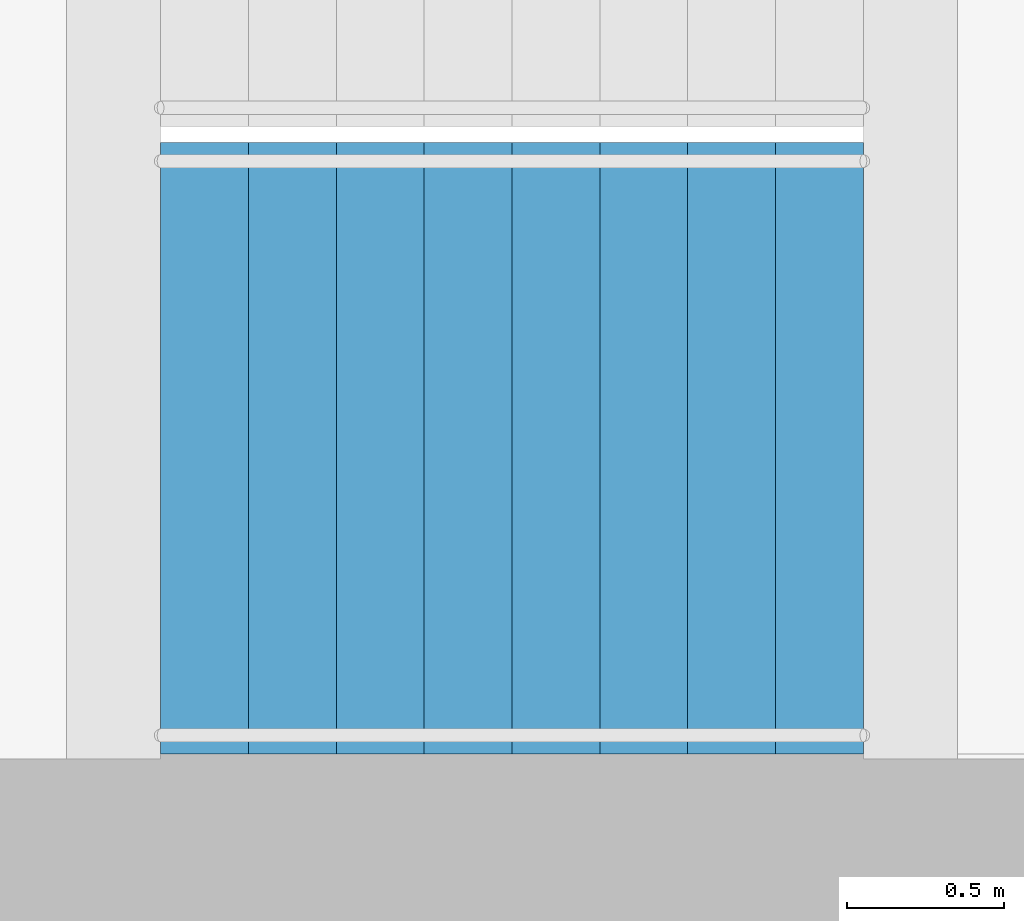
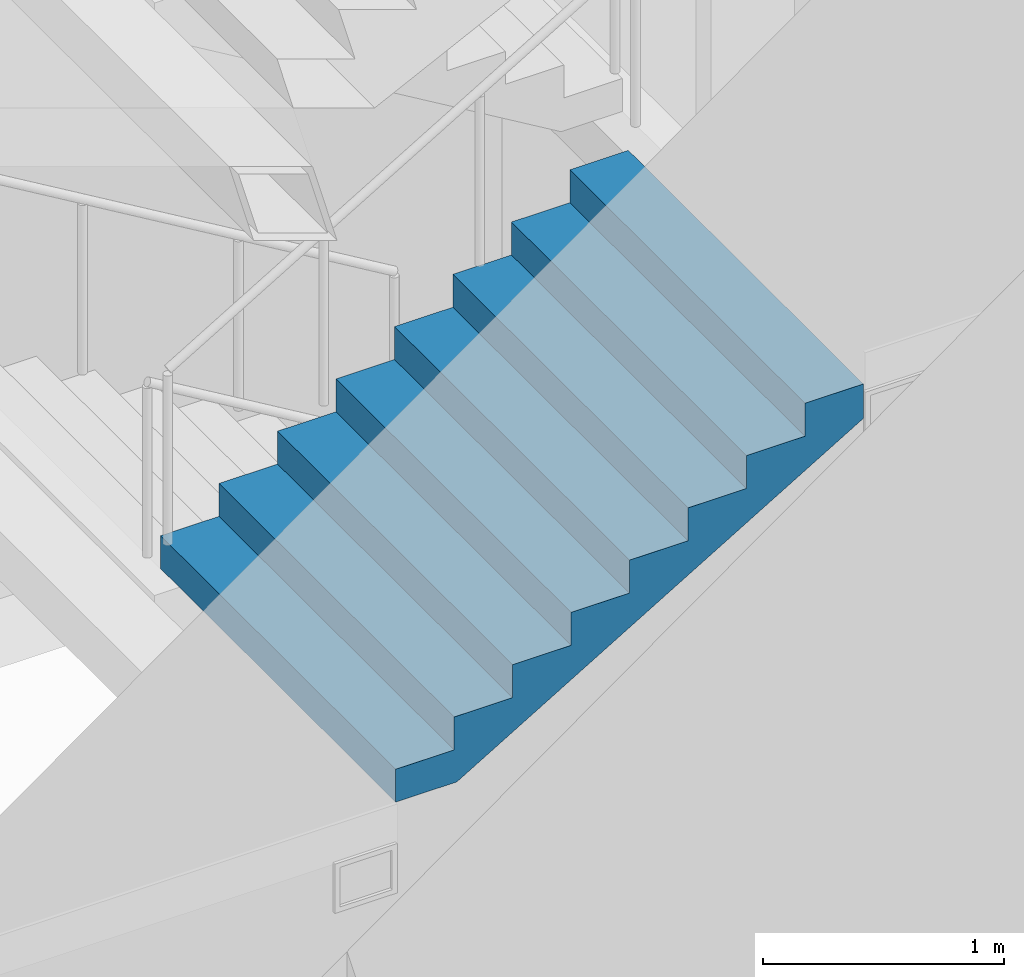
# One storey, part 25 of 57: 1 stair flight, 1 element without a shape of its own.
"""IFC4 building model written with IfcOpenShell, lengths in metres."""

import ifcopenshell
import ifcopenshell.guid

model = None  # the IFC model being written
_history = None  # IfcOwnerHistory: only IFC2X3 demands one
_inside = {}  # id of a spatial element -> (the spatial element, [elements in it])
_under = {}  # id of a project, library or spatial element -> (it, [spatial elements below it])
_declared = {}  # id of a project -> (the project, [libraries it declares])
_typed = {}  # id of a type object -> (the type object, [elements of that type])
_made_of = {}  # id of a material, layer set ... -> (it, [elements and type objects made of it])


def new_model(schema):
    """Start an empty IFC model of exactly this schema.

    Asked for "IFC4X3", IfcOpenShell would pick the latest addendum, in which some entities
    have other attributes; the version numbers below select the first issue.
    IFC2X3 requires an IfcOwnerHistory on every rooted entity: one is made here for all.
    """
    global model, _history
    if schema == "IFC4X3":
        model = ifcopenshell.file(schema_version=(4, 3, 0, 0))
    else:
        model = ifcopenshell.file(schema=schema)
    _inside.clear()
    _under.clear()
    _declared.clear()
    _typed.clear()
    _made_of.clear()
    _history = None
    if model.schema == "IFC2X3":
        org = make("IfcOrganization", Name="unknown")
        user = make(
            "IfcPersonAndOrganization",
            ThePerson=make("IfcPerson", FamilyName="unknown"),
            TheOrganization=org,
        )
        app = make(
            "IfcApplication",
            ApplicationDeveloper=org,
            Version="unknown",
            ApplicationFullName="unknown",
            ApplicationIdentifier="unknown",
        )
        _history = make(
            "IfcOwnerHistory",
            OwningUser=user,
            OwningApplication=app,
            ChangeAction="ADDED",
            CreationDate=0,
        )
    return model


def make(cls, **values):
    """One entity of the class cls with the attributes given. An attribute that is None is left unset."""
    return model.create_entity(
        cls, **{name: value for name, value in values.items() if value is not None}
    )


def rooted(cls, **values):
    """An entity with a GlobalId (a new one), such as an element, a storey or a relation."""
    return make(cls, GlobalId=ifcopenshell.guid.new(), OwnerHistory=_history, **values)


def si_unit(unit_type, name, prefix=None):
    """IfcSIUnit, for example si_unit("LENGTHUNIT", "METRE", prefix="MILLI")."""
    return make("IfcSIUnit", UnitType=unit_type, Prefix=prefix, Name=name)


def assignment(units):
    """IfcUnitAssignment: the units of a project."""
    return None if units is None else make("IfcUnitAssignment", Units=units)


def point(xyz):
    """IfcCartesianPoint."""
    return None if xyz is None else make("IfcCartesianPoint", Coordinates=xyz)


def direction(xyz):
    """IfcDirection."""
    return None if xyz is None else make("IfcDirection", DirectionRatios=xyz)


def frame(location, z_axis=None, x_axis=None):
    """IfcAxis2Placement3D, a coordinate frame: its origin and axes. An axis left out is left unset."""
    return make(
        "IfcAxis2Placement3D",
        Location=point(location),
        Axis=direction(z_axis),
        RefDirection=direction(x_axis),
    )


def origin():
    """The frame at (0, 0, 0) with its axes left unset."""
    return frame((0.0, 0.0, 0.0))


def place(relative_to, where):
    """IfcLocalPlacement: puts the frame where relative to a parent placement (None: the world)."""
    return make(
        "IfcLocalPlacement", PlacementRelTo=relative_to, RelativePlacement=where
    )


def context(
    kind, dimensions, precision=None, world=None, true_north=None, identifier=None
):
    """IfcGeometricRepresentationContext, for example the 3D "Model" context."""
    return make(
        "IfcGeometricRepresentationContext",
        ContextIdentifier=identifier,
        ContextType=kind,
        CoordinateSpaceDimension=dimensions,
        Precision=precision,
        WorldCoordinateSystem=world,
        TrueNorth=true_north,
    )


def subcontext(parent, identifier, kind, view, scale=None):
    """IfcGeometricRepresentationSubContext, for example "Body" below "Model"."""
    return make(
        "IfcGeometricRepresentationSubContext",
        ContextIdentifier=identifier,
        ContextType=kind,
        ParentContext=parent,
        TargetScale=scale,
        TargetView=view,
    )


def project(units=None, contexts=None):
    """IfcProject with its units and contexts."""
    return rooted(
        "IfcProject",
        Name="project",
        RepresentationContexts=contexts,
        UnitsInContext=assignment(units),
    )


def spatial(cls, under=None, at=None, **own):
    """A site, building, storey or space (cls), placed at a placement, below another one or the project."""
    s = rooted(cls, ObjectPlacement=at, **own)
    if under is not None:
        _under.setdefault(under.id(), (under, []))[1].append(s)
    return s


def point_list(points):
    """IfcCartesianPointList2D or 3D."""
    cls = (
        "IfcCartesianPointList2D" if len(points[0]) == 2 else "IfcCartesianPointList3D"
    )
    return make(cls, CoordList=points)


def triangles(points, corners, closed=None, point_numbers=None):
    """IfcTriangulatedFaceSet: each triangle names its three corners, points numbered from 1."""
    return make(
        "IfcTriangulatedFaceSet",
        Coordinates=point_list(points),
        Closed=closed,
        CoordIndex=corners,
        PnIndex=point_numbers,
    )


def shape(context_of_items, identifier, shape_type, items):
    """IfcShapeRepresentation: the items that make up one representation, for example the "Body"."""
    return make(
        "IfcShapeRepresentation",
        ContextOfItems=context_of_items,
        RepresentationIdentifier=identifier,
        RepresentationType=shape_type,
        Items=items,
    )


def material(Name=None, Category=None):
    """IfcMaterial."""
    return make("IfcMaterial", Name=Name, Category=Category)


def made_of(thing, what):
    """Note that an element or type object is made of a material, layer set ...; save() writes the relation."""
    if what is not None:
        _made_of.setdefault(what.id(), (what, []))[1].append(thing)
    return thing


def type_object(cls, material=None, **own):
    """A type object (cls), such as IfcWallType, which elements share."""
    return made_of(rooted(cls, **own), material)


def element(
    cls,
    number,
    at=None,
    inside=None,
    cuts=None,
    type_object=None,
    material=None,
    context=None,
    identifier="Body",
    shape_type=None,
    held_by="IfcProductDefinitionShape",
    body=None,
    shapes=None,
    **own,
):
    """One element of the class cls, such as IfcWall. Its Tag is "e" and its number.

    at: its placement. inside: the storey or other place that contains it. cuts: it is an
    opening in that element (IfcRelVoidsElement). A single representation is given by context,
    identifier, shape_type and body (its items); several are given by shapes. held_by: the class
    of the entity that holds the representations. save() writes the other relations.
    """
    e = rooted(cls, Tag="e%d" % number, ObjectPlacement=at, **own)
    if body is not None:
        shapes = [shape(context, identifier, shape_type, body)]
    if shapes is not None:
        e.Representation = make(held_by, Representations=shapes)
    if inside is not None:
        _inside.setdefault(inside.id(), (inside, []))[1].append(e)
    if cuts is not None:
        rooted(
            "IfcRelVoidsElement", RelatingBuildingElement=cuts, RelatedOpeningElement=e
        )
    if type_object is not None:
        _typed.setdefault(type_object.id(), (type_object, []))[1].append(e)
    return made_of(e, material)


def aggregate(whole, parts):
    """IfcRelAggregates: a whole, such as a stair, and the parts it consists of."""
    return rooted("IfcRelAggregates", RelatingObject=whole, RelatedObjects=parts)


def save(model, path):
    """Write the relations noted so far, then the file.

    IfcRelAggregates (storeys below a building ...), IfcRelContainedInSpatialStructure (elements
    in a storey), IfcRelDefinesByType, IfcRelAssociatesMaterial and IfcRelDeclares: one each for
    every whole, place, type object, material and project.
    """
    for whole, parts in _under.values():
        aggregate(whole, parts)
    for where, things in _inside.values():
        rooted(
            "IfcRelContainedInSpatialStructure",
            RelatedElements=things,
            RelatingStructure=where,
        )
    for kind, things in _typed.values():
        rooted("IfcRelDefinesByType", RelatedObjects=things, RelatingType=kind)
    for what, things in _made_of.values():
        rooted("IfcRelAssociatesMaterial", RelatedObjects=things, RelatingMaterial=what)
    for by, libraries in _declared.values():
        rooted("IfcRelDeclares", RelatingContext=by, RelatedDefinitions=libraries)
    model.write(path)


model = new_model("IFC4")

# Units and contexts
model_context = context("Model", 3, precision=1e-05, world=origin(), true_north=direction((0.0, 1.0)))
body_context = subcontext(model_context, "Body", "Model", "MODEL_VIEW")
ifc_project = project(units=[si_unit("LENGTHUNIT", "METRE"), si_unit("AREAUNIT", "SQUARE_METRE"), si_unit("VOLUMEUNIT", "CUBIC_METRE"), si_unit("PLANEANGLEUNIT", "RADIAN"), si_unit("MASSUNIT", "GRAM", prefix="KILO")], contexts=[model_context])

# Site, building, storey
site_placement = place(None, origin())
site = spatial("IfcSite", under=ifc_project, at=site_placement, CompositionType="ELEMENT")
building_placement = place(site_placement, origin())
building = spatial("IfcBuilding", under=site, at=building_placement, Name="Orbita Commons", CompositionType="ELEMENT")
storey_placement = place(building_placement, origin())
storey = spatial("IfcBuildingStorey", under=building, at=storey_placement, Name="L00", CompositionType="ELEMENT", Elevation=0.0)

# Stair, stair flight
ifc_material_1 = material(Name="Precast concrete C40/50", Category="concrete")
stair_type = type_object("IfcStairType", Name="Exit stair S2 4 flights 9 risers 167", PredefinedType="HALF_TURN_STAIR", material=ifc_material_1)
stair_placement = place(storey_placement, origin())
stair = element("IfcStair", 1, at=stair_placement, inside=storey, type_object=stair_type, Name="Exit stair S2 L00", PredefinedType="HALF_TURN_STAIR")
ifc_material_2 = material(Name="Precast concrete C40/50", Category="concrete")
stair_flight_type = type_object("IfcStairFlightType", Name="Stair flight 9 risers 167 x 280", PredefinedType="STRAIGHT", material=ifc_material_2)
stair_flight_placement = place(storey_placement, frame((61.31005859375, 27.27490234375, 1.5), z_axis=(0.0, 0.0, 1.0), x_axis=(1.0, 0.0, 0.0)))
stair_flight = element("IfcStairFlight", 2, at=stair_flight_placement, type_object=stair_flight_type, Name="S2 flight 2", NumberOfRisers=9, NumberOfTreads=8, PredefinedType="STRAIGHT", RiserHeight=0.166666667, TreadLength=0.28, context=body_context, shape_type="Tessellation", body=[
    triangles([(0.0, 0.974976, 0.0), (0.0, 0.974976, 0.020833), (0.0, 0.81248, 0.020833), (0.0, 0.81248, 0.0), (0.0, 0.649984, 0.020833), (0.0, 0.649984, 0.0), (0.0, 0.487488, 0.020833), (0.0, 0.487488, 0.0), (0.0, 0.324992, 0.020833), (0.0, 0.324992, 0.0), (0.0, 0.162496, 0.020833), (0.0, 0.162496, 0.0), (0.0, 0.0, 0.020833), (0.0, 0.0, 0.0), (0.0, -0.162496, 0.020833), (0.0, -0.162496, 0.0), (0.0, -0.324992, 0.020833), (0.0, -0.324992, 0.0), (0.0, -0.487488, 0.020833), (0.0, -0.487488, 0.0), (0.0, -0.649984, 0.020833), (0.0, -0.649984, 0.0), (0.0, -0.81248, 0.020833), (0.0, -0.81248, 0.0), (0.0, -0.974976, 0.020833), (0.0, -0.974976, 0.0), (0.0, 0.974976, 0.041667), (0.0, 0.81248, 0.041667), (0.0, 0.649984, 0.041667), (0.0, 0.487488, 0.041667), (0.0, 0.324992, 0.041667), (0.0, 0.162496, 0.041667), (0.0, 0.0, 0.041667), (0.0, -0.162496, 0.041667), (0.0, -0.324992, 0.041667), (0.0, -0.487488, 0.041667), (0.0, -0.649984, 0.041667), (0.0, -0.81248, 0.041667), (0.0, -0.974976, 0.041667), (0.0, 0.974976, 0.0625), (0.0, 0.81248, 0.0625), (0.0, 0.649984, 0.0625), (0.0, 0.487488, 0.0625), (0.0, 0.324992, 0.0625), (0.0, 0.162496, 0.0625), (0.0, 0.0, 0.0625), (0.0, -0.162496, 0.0625), (0.0, -0.324992, 0.0625), (0.0, -0.487488, 0.0625), (0.0, -0.649984, 0.0625), (0.0, -0.81248, 0.0625), (0.0, -0.974976, 0.0625), (0.0, 0.974976, 0.083333), (0.0, 0.81248, 0.083333), (0.0, 0.649984, 0.083333), (0.0, 0.487488, 0.083333), (0.0, 0.324992, 0.083333), (0.0, 0.162496, 0.083333), (0.0, 0.0, 0.083333), (0.0, -0.162496, 0.083333), (0.0, -0.324992, 0.083333), (0.0, -0.487488, 0.083333), (0.0, -0.649984, 0.083333), (0.0, -0.81248, 0.083333), (0.0, -0.974976, 0.083333), (0.0, 0.974976, 0.104167), (0.0, 0.81248, 0.104167), (0.0, 0.649984, 0.104167), (0.0, 0.487488, 0.104167), (0.0, 0.324992, 0.104167), (0.0, 0.162496, 0.104167), (0.0, 0.0, 0.104167), (0.0, -0.162496, 0.104167), (0.0, -0.324992, 0.104167), (0.0, -0.487488, 0.104167), (0.0, -0.649984, 0.104167), (0.0, -0.81248, 0.104167), (0.0, -0.974976, 0.104167), (0.0, 0.974976, 0.125), (0.0, 0.81248, 0.125), (0.0, 0.649984, 0.125), (0.0, 0.487488, 0.125), (0.0, 0.324992, 0.125), (0.0, 0.162496, 0.125), (0.0, 0.0, 0.125), (0.0, -0.162496, 0.125), (0.0, -0.324992, 0.125), (0.0, -0.487488, 0.125), (0.0, -0.649984, 0.125), (0.0, -0.81248, 0.125), (0.0, -0.974976, 0.125), (0.0, 0.974976, 0.145833), (0.0, 0.81248, 0.145833), (0.0, 0.649984, 0.145833), (0.0, 0.487488, 0.145833), (0.0, 0.324992, 0.145833), (0.0, 0.162496, 0.145833), (0.0, 0.0, 0.145833), (0.0, -0.162496, 0.145833), (0.0, -0.324992, 0.145833), (0.0, -0.487488, 0.145833), (0.0, -0.649984, 0.145833), (0.0, -0.81248, 0.145833), (0.0, -0.974976, 0.145833), (0.0, 0.974976, 0.166667), (0.0, 0.81248, 0.166667), (0.0, 0.649984, 0.166667), (0.0, 0.487488, 0.166667), (0.0, 0.324992, 0.166667), (0.0, 0.162496, 0.166667), (0.0, 0.0, 0.166667), (0.0, -0.162496, 0.166667), (0.0, -0.324992, 0.166667), (0.0, -0.487488, 0.166667), (0.0, -0.649984, 0.166667), (0.0, -0.81248, 0.166667), (0.0, -0.974976, 0.166667), (0.28, 0.974976, 0.166667), (0.28, 0.81248, 0.166667), (0.28, 0.649984, 0.166667), (0.28, 0.487488, 0.166667), (0.28, 0.324992, 0.166667), (0.28, 0.162496, 0.166667), (0.28, 0.0, 0.166667), (0.28, -0.162496, 0.166667), (0.28, -0.324992, 0.166667), (0.28, -0.487488, 0.166667), (0.28, -0.649984, 0.166667), (0.28, -0.81248, 0.166667), (0.28, -0.974976, 0.166667), (0.28, 0.974976, 0.333333), (0.28, 0.81248, 0.333333), (0.28, 0.649984, 0.333333), (0.28, 0.487488, 0.333333), (0.28, 0.324992, 0.333333), (0.28, 0.162496, 0.333333), (0.28, 0.0, 0.333333), (0.28, -0.162496, 0.333333), (0.28, -0.324992, 0.333333), (0.28, -0.487488, 0.333333), (0.28, -0.649984, 0.333333), (0.28, -0.81248, 0.333333), (0.28, -0.974976, 0.333333), (0.56, 0.974976, 0.333333), (0.56, 0.81248, 0.333333), (0.56, 0.649984, 0.333333), (0.56, 0.487488, 0.333333), (0.56, 0.324992, 0.333333), (0.56, 0.162496, 0.333333), (0.56, 0.0, 0.333333), (0.56, -0.162496, 0.333333), (0.56, -0.324992, 0.333333), (0.56, -0.487488, 0.333333), (0.56, -0.649984, 0.333333), (0.56, -0.81248, 0.333333), (0.56, -0.974976, 0.333333), (0.56, 0.974976, 0.5), (0.56, 0.81248, 0.5), (0.56, 0.649984, 0.5), (0.56, 0.487488, 0.5), (0.56, 0.324992, 0.5), (0.56, 0.162496, 0.5), (0.56, 0.0, 0.5), (0.56, -0.162496, 0.5), (0.56, -0.324992, 0.5), (0.56, -0.487488, 0.5), (0.56, -0.649984, 0.5), (0.56, -0.81248, 0.5), (0.56, -0.974976, 0.5), (0.84, 0.974976, 0.5), (0.84, 0.81248, 0.5), (0.84, 0.649984, 0.5), (0.84, 0.487488, 0.5), (0.84, 0.324992, 0.5), (0.84, 0.162496, 0.5), (0.84, 0.0, 0.5), (0.84, -0.162496, 0.5), (0.84, -0.324992, 0.5), (0.84, -0.487488, 0.5), (0.84, -0.649984, 0.5), (0.84, -0.81248, 0.5), (0.84, -0.974976, 0.5), (0.84, 0.974976, 0.666667), (0.84, 0.81248, 0.666667), (0.84, 0.649984, 0.666667), (0.84, 0.487488, 0.666667), (0.84, 0.324992, 0.666667), (0.84, 0.162496, 0.666667), (0.84, 0.0, 0.666667), (0.84, -0.162496, 0.666667), (0.84, -0.324992, 0.666667), (0.84, -0.487488, 0.666667), (0.84, -0.649984, 0.666667), (0.84, -0.81248, 0.666667), (0.84, -0.974976, 0.666667), (1.12, 0.974976, 0.666667), (1.12, 0.81248, 0.666667), (1.12, 0.649984, 0.666667), (1.12, 0.487488, 0.666667), (1.12, 0.324992, 0.666667), (1.12, 0.162496, 0.666667), (1.12, 0.0, 0.666667), (1.12, -0.162496, 0.666667), (1.12, -0.324992, 0.666667), (1.12, -0.487488, 0.666667), (1.12, -0.649984, 0.666667), (1.12, -0.81248, 0.666667), (1.12, -0.974976, 0.666667), (1.12, 0.974976, 0.833333), (1.12, 0.81248, 0.833333), (1.12, 0.649984, 0.833333), (1.12, 0.487488, 0.833333), (1.12, 0.324992, 0.833333), (1.12, 0.162496, 0.833333), (1.12, 0.0, 0.833333), (1.12, -0.162496, 0.833333), (1.12, -0.324992, 0.833333), (1.12, -0.487488, 0.833333), (1.12, -0.649984, 0.833333), (1.12, -0.81248, 0.833333), (1.12, -0.974976, 0.833333), (1.4, 0.974976, 0.833333), (1.4, 0.81248, 0.833333), (1.4, 0.649984, 0.833333), (1.4, 0.487488, 0.833333), (1.4, 0.324992, 0.833333), (1.4, 0.162496, 0.833333), (1.4, 0.0, 0.833333), (1.4, -0.162496, 0.833333), (1.4, -0.324992, 0.833333), (1.4, -0.487488, 0.833333), (1.4, -0.649984, 0.833333), (1.4, -0.81248, 0.833333), (1.4, -0.974976, 0.833333), (1.4, 0.974976, 1.0), (1.4, 0.81248, 1.0), (1.4, 0.649984, 1.0), (1.4, 0.487488, 1.0), (1.4, 0.324992, 1.0), (1.4, 0.162496, 1.0), (1.4, 0.0, 1.0), (1.4, -0.162496, 1.0), (1.4, -0.324992, 1.0), (1.4, -0.487488, 1.0), (1.4, -0.649984, 1.0), (1.4, -0.81248, 1.0), (1.4, -0.974976, 1.0), (1.68, 0.974976, 1.0), (1.68, 0.81248, 1.0), (1.68, 0.649984, 1.0), (1.68, 0.487488, 1.0), (1.68, 0.324992, 1.0), (1.68, 0.162496, 1.0), (1.68, 0.0, 1.0), (1.68, -0.162496, 1.0), (1.68, -0.324992, 1.0), (1.68, -0.487488, 1.0), (1.68, -0.649984, 1.0), (1.68, -0.81248, 1.0), (1.68, -0.974976, 1.0), (1.68, 0.974976, 1.166667), (1.68, 0.81248, 1.166667), (1.68, 0.649984, 1.166667), (1.68, 0.487488, 1.166667), (1.68, 0.324992, 1.166667), (1.68, 0.162496, 1.166667), (1.68, 0.0, 1.166667), (1.68, -0.162496, 1.166667), (1.68, -0.324992, 1.166667), (1.68, -0.487488, 1.166667), (1.68, -0.649984, 1.166667), (1.68, -0.81248, 1.166667), (1.68, -0.974976, 1.166667), (1.96, 0.974976, 1.166667), (1.96, 0.81248, 1.166667), (1.96, 0.649984, 1.166667), (1.96, 0.487488, 1.166667), (1.96, 0.324992, 1.166667), (1.96, 0.162496, 1.166667), (1.96, 0.0, 1.166667), (1.96, -0.162496, 1.166667), (1.96, -0.324992, 1.166667), (1.96, -0.487488, 1.166667), (1.96, -0.649984, 1.166667), (1.96, -0.81248, 1.166667), (1.96, -0.974976, 1.166667), (1.96, 0.974976, 1.333333), (1.96, 0.81248, 1.333333), (1.96, 0.649984, 1.333333), (1.96, 0.487488, 1.333333), (1.96, 0.324992, 1.333333), (1.96, 0.162496, 1.333333), (1.96, 0.0, 1.333333), (1.96, -0.162496, 1.333333), (1.96, -0.324992, 1.333333), (1.96, -0.487488, 1.333333), (1.96, -0.649984, 1.333333), (1.96, -0.81248, 1.333333), (1.96, -0.974976, 1.333333), (2.24, 0.974976, 1.333333), (2.24, 0.81248, 1.333333), (2.24, 0.649984, 1.333333), (2.24, 0.487488, 1.333333), (2.24, 0.324992, 1.333333), (2.24, 0.162496, 1.333333), (2.24, 0.0, 1.333333), (2.24, -0.162496, 1.333333), (2.24, -0.324992, 1.333333), (2.24, -0.487488, 1.333333), (2.24, -0.649984, 1.333333), (2.24, -0.81248, 1.333333), (2.24, -0.974976, 1.333333), (2.24, 0.974976, 1.311527), (2.24, 0.81248, 1.311527), (2.24, 0.649984, 1.311527), (2.24, 0.487488, 1.311527), (2.24, 0.324992, 1.311527), (2.24, 0.162496, 1.311527), (2.24, 0.0, 1.311527), (2.24, -0.162496, 1.311527), (2.24, -0.324992, 1.311527), (2.24, -0.487488, 1.311527), (2.24, -0.649984, 1.311527), (2.24, -0.81248, 1.311527), (2.24, -0.974976, 1.311527), (2.24, 0.974976, 1.289721), (2.24, 0.81248, 1.289721), (2.24, 0.649984, 1.289721), (2.24, 0.487488, 1.289721), (2.24, 0.324992, 1.289721), (2.24, 0.162496, 1.289721), (2.24, 0.0, 1.289721), (2.24, -0.162496, 1.289721), (2.24, -0.324992, 1.289721), (2.24, -0.487488, 1.289721), (2.24, -0.649984, 1.289721), (2.24, -0.81248, 1.289721), (2.24, -0.974976, 1.289721), (2.24, 0.974976, 1.267915), (2.24, 0.81248, 1.267915), (2.24, 0.649984, 1.267915), (2.24, 0.487488, 1.267915), (2.24, 0.324992, 1.267915), (2.24, 0.162496, 1.267915), (2.24, 0.0, 1.267915), (2.24, -0.162496, 1.267915), (2.24, -0.324992, 1.267915), (2.24, -0.487488, 1.267915), (2.24, -0.649984, 1.267915), (2.24, -0.81248, 1.267915), (2.24, -0.974976, 1.267915), (2.24, 0.974976, 1.246109), (2.24, 0.81248, 1.246109), (2.24, 0.649984, 1.246109), (2.24, 0.487488, 1.246109), (2.24, 0.324992, 1.246109), (2.24, 0.162496, 1.246109), (2.24, 0.0, 1.246109), (2.24, -0.162496, 1.246109), (2.24, -0.324992, 1.246109), (2.24, -0.487488, 1.246109), (2.24, -0.649984, 1.246109), (2.24, -0.81248, 1.246109), (2.24, -0.974976, 1.246109), (2.24, 0.974976, 1.224303), (2.24, 0.81248, 1.224303), (2.24, 0.649984, 1.224303), (2.24, 0.487488, 1.224303), (2.24, 0.324992, 1.224303), (2.24, 0.162496, 1.224303), (2.24, 0.0, 1.224303), (2.24, -0.162496, 1.224303), (2.24, -0.324992, 1.224303), (2.24, -0.487488, 1.224303), (2.24, -0.649984, 1.224303), (2.24, -0.81248, 1.224303), (2.24, -0.974976, 1.224303), (2.24, 0.974976, 1.202497), (2.24, 0.81248, 1.202497), (2.24, 0.649984, 1.202497), (2.24, 0.487488, 1.202497), (2.24, 0.324992, 1.202497), (2.24, 0.162496, 1.202497), (2.24, 0.0, 1.202497), (2.24, -0.162496, 1.202497), (2.24, -0.324992, 1.202497), (2.24, -0.487488, 1.202497), (2.24, -0.649984, 1.202497), (2.24, -0.81248, 1.202497), (2.24, -0.974976, 1.202497), (2.24, 0.974976, 1.180691), (2.24, 0.81248, 1.180691), (2.24, 0.649984, 1.180691), (2.24, 0.487488, 1.180691), (2.24, 0.324992, 1.180691), (2.24, 0.162496, 1.180691), (2.24, 0.0, 1.180691), (2.24, -0.162496, 1.180691), (2.24, -0.324992, 1.180691), (2.24, -0.487488, 1.180691), (2.24, -0.649984, 1.180691), (2.24, -0.81248, 1.180691), (2.24, -0.974976, 1.180691), (2.24, 0.974976, 1.158885), (2.24, 0.81248, 1.158885), (2.24, 0.649984, 1.158885), (2.24, 0.487488, 1.158885), (2.24, 0.324992, 1.158885), (2.24, 0.162496, 1.158885), (2.24, 0.0, 1.158885), (2.24, -0.162496, 1.158885), (2.24, -0.324992, 1.158885), (2.24, -0.487488, 1.158885), (2.24, -0.649984, 1.158885), (2.24, -0.81248, 1.158885), (2.24, -0.974976, 1.158885), (0.293073, 0.974976, 0.0), (0.293073, 0.81248, 0.0), (0.293073, 0.649984, 0.0), (0.293073, 0.487488, 0.0), (0.293073, 0.324992, 0.0), (0.293073, 0.162496, 0.0), (0.293073, 0.0, 0.0), (0.293073, -0.162496, 0.0), (0.293073, -0.324992, 0.0), (0.293073, -0.487488, 0.0), (0.293073, -0.649984, 0.0), (0.293073, -0.81248, 0.0), (0.293073, -0.974976, 0.0)], [[3, 2, 1], [4, 3, 1], [5, 3, 4], [6, 5, 4], [7, 5, 6], [8, 7, 6], [9, 7, 8], [10, 9, 8], [11, 9, 10], [12, 11, 10], [13, 11, 12], [14, 13, 12], [15, 13, 14], [16, 15, 14], [17, 15, 16], [18, 17, 16], [19, 17, 18], [20, 19, 18], [21, 19, 20], [22, 21, 20], [23, 21, 22], [24, 23, 22], [25, 23, 24], [26, 25, 24], [28, 27, 2], [3, 28, 2], [29, 28, 3], [5, 29, 3], [30, 29, 5], [7, 30, 5], [31, 30, 7], [9, 31, 7], [32, 31, 9], [11, 32, 9], [33, 32, 11], [13, 33, 11], [34, 33, 13], [15, 34, 13], [35, 34, 15], [17, 35, 15], [36, 35, 17], [19, 36, 17], [37, 36, 19], [21, 37, 19], [38, 37, 21], [23, 38, 21], [39, 38, 23], [25, 39, 23], [41, 40, 27], [28, 41, 27], [42, 41, 28], [29, 42, 28], [43, 42, 29], [30, 43, 29], [44, 43, 30], [31, 44, 30], [45, 44, 31], [32, 45, 31], [46, 45, 32], [33, 46, 32], [47, 46, 33], [34, 47, 33], [48, 47, 34], [35, 48, 34], [49, 48, 35], [36, 49, 35], [50, 49, 36], [37, 50, 36], [51, 50, 37], [38, 51, 37], [52, 51, 38], [39, 52, 38], [54, 53, 40], [41, 54, 40], [55, 54, 41], [42, 55, 41], [56, 55, 42], [43, 56, 42], [57, 56, 43], [44, 57, 43], [58, 57, 44], [45, 58, 44], [59, 58, 45], [46, 59, 45], [60, 59, 46], [47, 60, 46], [61, 60, 47], [48, 61, 47], [62, 61, 48], [49, 62, 48], [63, 62, 49], [50, 63, 49], [64, 63, 50], [51, 64, 50], [65, 64, 51], [52, 65, 51], [67, 66, 53], [54, 67, 53], [68, 67, 54], [55, 68, 54], [69, 68, 55], [56, 69, 55], [70, 69, 56], [57, 70, 56], [71, 70, 57], [58, 71, 57], [72, 71, 58], [59, 72, 58], [73, 72, 59], [60, 73, 59], [74, 73, 60], [61, 74, 60], [75, 74, 61], [62, 75, 61], [76, 75, 62], [63, 76, 62], [77, 76, 63], [64, 77, 63], [78, 77, 64], [65, 78, 64], [80, 79, 66], [67, 80, 66], [81, 80, 67], [68, 81, 67], [82, 81, 68], [69, 82, 68], [83, 82, 69], [70, 83, 69], [84, 83, 70], [71, 84, 70], [85, 84, 71], [72, 85, 71], [86, 85, 72], [73, 86, 72], [87, 86, 73], [74, 87, 73], [88, 87, 74], [75, 88, 74], [89, 88, 75], [76, 89, 75], [90, 89, 76], [77, 90, 76], [91, 90, 77], [78, 91, 77], [93, 92, 79], [80, 93, 79], [94, 93, 80], [81, 94, 80], [95, 94, 81], [82, 95, 81], [96, 95, 82], [83, 96, 82], [97, 96, 83], [84, 97, 83], [98, 97, 84], [85, 98, 84], [99, 98, 85], [86, 99, 85], [100, 99, 86], [87, 100, 86], [101, 100, 87], [88, 101, 87], [102, 101, 88], [89, 102, 88], [103, 102, 89], [90, 103, 89], [104, 103, 90], [91, 104, 90], [106, 105, 92], [93, 106, 92], [107, 106, 93], [94, 107, 93], [108, 107, 94], [95, 108, 94], [109, 108, 95], [96, 109, 95], [110, 109, 96], [97, 110, 96], [111, 110, 97], [98, 111, 97], [112, 111, 98], [99, 112, 98], [113, 112, 99], [100, 113, 99], [114, 113, 100], [101, 114, 100], [115, 114, 101], [102, 115, 101], [116, 115, 102], [103, 116, 102], [117, 116, 103], [104, 117, 103], [119, 118, 105], [106, 119, 105], [120, 119, 106], [107, 120, 106], [121, 120, 107], [108, 121, 107], [122, 121, 108], [109, 122, 108], [123, 122, 109], [110, 123, 109], [124, 123, 110], [111, 124, 110], [125, 124, 111], [112, 125, 111], [126, 125, 112], [113, 126, 112], [127, 126, 113], [114, 127, 113], [128, 127, 114], [115, 128, 114], [129, 128, 115], [116, 129, 115], [130, 129, 116], [117, 130, 116], [132, 131, 118], [119, 132, 118], [133, 132, 119], [120, 133, 119], [134, 133, 120], [121, 134, 120], [135, 134, 121], [122, 135, 121], [136, 135, 122], [123, 136, 122], [137, 136, 123], [124, 137, 123], [138, 137, 124], [125, 138, 124], [139, 138, 125], [126, 139, 125], [140, 139, 126], [127, 140, 126], [141, 140, 127], [128, 141, 127], [142, 141, 128], [129, 142, 128], [143, 142, 129], [130, 143, 129], [145, 144, 131], [132, 145, 131], [146, 145, 132], [133, 146, 132], [147, 146, 133], [134, 147, 133], [148, 147, 134], [135, 148, 134], [149, 148, 135], [136, 149, 135], [150, 149, 136], [137, 150, 136], [151, 150, 137], [138, 151, 137], [152, 151, 138], [139, 152, 138], [153, 152, 139], [140, 153, 139], [154, 153, 140], [141, 154, 140], [155, 154, 141], [142, 155, 141], [156, 155, 142], [143, 156, 142], [158, 157, 144], [145, 158, 144], [159, 158, 145], [146, 159, 145], [160, 159, 146], [147, 160, 146], [161, 160, 147], [148, 161, 147], [162, 161, 148], [149, 162, 148], [163, 162, 149], [150, 163, 149], [164, 163, 150], [151, 164, 150], [165, 164, 151], [152, 165, 151], [166, 165, 152], [153, 166, 152], [167, 166, 153], [154, 167, 153], [168, 167, 154], [155, 168, 154], [169, 168, 155], [156, 169, 155], [171, 170, 157], [158, 171, 157], [172, 171, 158], [159, 172, 158], [173, 172, 159], [160, 173, 159], [174, 173, 160], [161, 174, 160], [175, 174, 161], [162, 175, 161], [176, 175, 162], [163, 176, 162], [177, 176, 163], [164, 177, 163], [178, 177, 164], [165, 178, 164], [179, 178, 165], [166, 179, 165], [180, 179, 166], [167, 180, 166], [181, 180, 167], [168, 181, 167], [182, 181, 168], [169, 182, 168], [184, 183, 170], [171, 184, 170], [185, 184, 171], [172, 185, 171], [186, 185, 172], [173, 186, 172], [187, 186, 173], [174, 187, 173], [188, 187, 174], [175, 188, 174], [189, 188, 175], [176, 189, 175], [190, 189, 176], [177, 190, 176], [191, 190, 177], [178, 191, 177], [192, 191, 178], [179, 192, 178], [193, 192, 179], [180, 193, 179], [194, 193, 180], [181, 194, 180], [195, 194, 181], [182, 195, 181], [197, 196, 183], [184, 197, 183], [198, 197, 184], [185, 198, 184], [199, 198, 185], [186, 199, 185], [200, 199, 186], [187, 200, 186], [201, 200, 187], [188, 201, 187], [202, 201, 188], [189, 202, 188], [203, 202, 189], [190, 203, 189], [204, 203, 190], [191, 204, 190], [205, 204, 191], [192, 205, 191], [206, 205, 192], [193, 206, 192], [207, 206, 193], [194, 207, 193], [208, 207, 194], [195, 208, 194], [210, 209, 196], [197, 210, 196], [211, 210, 197], [198, 211, 197], [212, 211, 198], [199, 212, 198], [213, 212, 199], [200, 213, 199], [214, 213, 200], [201, 214, 200], [215, 214, 201], [202, 215, 201], [216, 215, 202], [203, 216, 202], [217, 216, 203], [204, 217, 203], [218, 217, 204], [205, 218, 204], [219, 218, 205], [206, 219, 205], [220, 219, 206], [207, 220, 206], [221, 220, 207], [208, 221, 207], [223, 222, 209], [210, 223, 209], [224, 223, 210], [211, 224, 210], [225, 224, 211], [212, 225, 211], [226, 225, 212], [213, 226, 212], [227, 226, 213], [214, 227, 213], [228, 227, 214], [215, 228, 214], [229, 228, 215], [216, 229, 215], [230, 229, 216], [217, 230, 216], [231, 230, 217], [218, 231, 217], [232, 231, 218], [219, 232, 218], [233, 232, 219], [220, 233, 219], [234, 233, 220], [221, 234, 220], [236, 235, 222], [223, 236, 222], [237, 236, 223], [224, 237, 223], [238, 237, 224], [225, 238, 224], [239, 238, 225], [226, 239, 225], [240, 239, 226], [227, 240, 226], [241, 240, 227], [228, 241, 227], [242, 241, 228], [229, 242, 228], [243, 242, 229], [230, 243, 229], [244, 243, 230], [231, 244, 230], [245, 244, 231], [232, 245, 231], [246, 245, 232], [233, 246, 232], [247, 246, 233], [234, 247, 233], [249, 248, 235], [236, 249, 235], [250, 249, 236], [237, 250, 236], [251, 250, 237], [238, 251, 237], [252, 251, 238], [239, 252, 238], [253, 252, 239], [240, 253, 239], [254, 253, 240], [241, 254, 240], [255, 254, 241], [242, 255, 241], [256, 255, 242], [243, 256, 242], [257, 256, 243], [244, 257, 243], [258, 257, 244], [245, 258, 244], [259, 258, 245], [246, 259, 245], [260, 259, 246], [247, 260, 246], [262, 261, 248], [249, 262, 248], [263, 262, 249], [250, 263, 249], [264, 263, 250], [251, 264, 250], [265, 264, 251], [252, 265, 251], [266, 265, 252], [253, 266, 252], [267, 266, 253], [254, 267, 253], [268, 267, 254], [255, 268, 254], [269, 268, 255], [256, 269, 255], [270, 269, 256], [257, 270, 256], [271, 270, 257], [258, 271, 257], [272, 271, 258], [259, 272, 258], [273, 272, 259], [260, 273, 259], [275, 274, 261], [262, 275, 261], [276, 275, 262], [263, 276, 262], [277, 276, 263], [264, 277, 263], [278, 277, 264], [265, 278, 264], [279, 278, 265], [266, 279, 265], [280, 279, 266], [267, 280, 266], [281, 280, 267], [268, 281, 267], [282, 281, 268], [269, 282, 268], [283, 282, 269], [270, 283, 269], [284, 283, 270], [271, 284, 270], [285, 284, 271], [272, 285, 271], [286, 285, 272], [273, 286, 272], [288, 287, 274], [275, 288, 274], [289, 288, 275], [276, 289, 275], [290, 289, 276], [277, 290, 276], [291, 290, 277], [278, 291, 277], [292, 291, 278], [279, 292, 278], [293, 292, 279], [280, 293, 279], [294, 293, 280], [281, 294, 280], [295, 294, 281], [282, 295, 281], [296, 295, 282], [283, 296, 282], [297, 296, 283], [284, 297, 283], [298, 297, 284], [285, 298, 284], [299, 298, 285], [286, 299, 285], [301, 300, 287], [288, 301, 287], [302, 301, 288], [289, 302, 288], [303, 302, 289], [290, 303, 289], [304, 303, 290], [291, 304, 290], [305, 304, 291], [292, 305, 291], [306, 305, 292], [293, 306, 292], [307, 306, 293], [294, 307, 293], [308, 307, 294], [295, 308, 294], [309, 308, 295], [296, 309, 295], [310, 309, 296], [297, 310, 296], [311, 310, 297], [298, 311, 297], [312, 311, 298], [299, 312, 298], [314, 313, 300], [301, 314, 300], [315, 314, 301], [302, 315, 301], [316, 315, 302], [303, 316, 302], [317, 316, 303], [304, 317, 303], [318, 317, 304], [305, 318, 304], [319, 318, 305], [306, 319, 305], [320, 319, 306], [307, 320, 306], [321, 320, 307], [308, 321, 307], [322, 321, 308], [309, 322, 308], [323, 322, 309], [310, 323, 309], [324, 323, 310], [311, 324, 310], [325, 324, 311], [312, 325, 311], [327, 326, 313], [314, 327, 313], [328, 327, 314], [315, 328, 314], [329, 328, 315], [316, 329, 315], [330, 329, 316], [317, 330, 316], [331, 330, 317], [318, 331, 317], [332, 331, 318], [319, 332, 318], [333, 332, 319], [320, 333, 319], [334, 333, 320], [321, 334, 320], [335, 334, 321], [322, 335, 321], [336, 335, 322], [323, 336, 322], [337, 336, 323], [324, 337, 323], [338, 337, 324], [325, 338, 324], [340, 339, 326], [327, 340, 326], [341, 340, 327], [328, 341, 327], [342, 341, 328], [329, 342, 328], [343, 342, 329], [330, 343, 329], [344, 343, 330], [331, 344, 330], [345, 344, 331], [332, 345, 331], [346, 345, 332], [333, 346, 332], [347, 346, 333], [334, 347, 333], [348, 347, 334], [335, 348, 334], [349, 348, 335], [336, 349, 335], [350, 349, 336], [337, 350, 336], [351, 350, 337], [338, 351, 337], [353, 352, 339], [340, 353, 339], [354, 353, 340], [341, 354, 340], [355, 354, 341], [342, 355, 341], [356, 355, 342], [343, 356, 342], [357, 356, 343], [344, 357, 343], [358, 357, 344], [345, 358, 344], [359, 358, 345], [346, 359, 345], [360, 359, 346], [347, 360, 346], [361, 360, 347], [348, 361, 347], [362, 361, 348], [349, 362, 348], [363, 362, 349], [350, 363, 349], [364, 363, 350], [351, 364, 350], [366, 365, 352], [353, 366, 352], [367, 366, 353], [354, 367, 353], [368, 367, 354], [355, 368, 354], [369, 368, 355], [356, 369, 355], [370, 369, 356], [357, 370, 356], [371, 370, 357], [358, 371, 357], [372, 371, 358], [359, 372, 358], [373, 372, 359], [360, 373, 359], [374, 373, 360], [361, 374, 360], [375, 374, 361], [362, 375, 361], [376, 375, 362], [363, 376, 362], [377, 376, 363], [364, 377, 363], [379, 378, 365], [366, 379, 365], [380, 379, 366], [367, 380, 366], [381, 380, 367], [368, 381, 367], [382, 381, 368], [369, 382, 368], [383, 382, 369], [370, 383, 369], [384, 383, 370], [371, 384, 370], [385, 384, 371], [372, 385, 371], [386, 385, 372], [373, 386, 372], [387, 386, 373], [374, 387, 373], [388, 387, 374], [375, 388, 374], [389, 388, 375], [376, 389, 375], [390, 389, 376], [377, 390, 376], [392, 391, 378], [379, 392, 378], [393, 392, 379], [380, 393, 379], [394, 393, 380], [381, 394, 380], [395, 394, 381], [382, 395, 381], [396, 395, 382], [383, 396, 382], [397, 396, 383], [384, 397, 383], [398, 397, 384], [385, 398, 384], [399, 398, 385], [386, 399, 385], [400, 399, 386], [387, 400, 386], [401, 400, 387], [388, 401, 387], [402, 401, 388], [389, 402, 388], [403, 402, 389], [390, 403, 389], [405, 404, 391], [392, 405, 391], [406, 405, 392], [393, 406, 392], [407, 406, 393], [394, 407, 393], [408, 407, 394], [395, 408, 394], [409, 408, 395], [396, 409, 395], [410, 409, 396], [397, 410, 396], [411, 410, 397], [398, 411, 397], [412, 411, 398], [399, 412, 398], [413, 412, 399], [400, 413, 399], [414, 413, 400], [401, 414, 400], [415, 414, 401], [402, 415, 401], [416, 415, 402], [403, 416, 402], [418, 417, 404], [405, 418, 404], [419, 418, 405], [406, 419, 405], [420, 419, 406], [407, 420, 406], [421, 420, 407], [408, 421, 407], [422, 421, 408], [409, 422, 408], [423, 422, 409], [410, 423, 409], [424, 423, 410], [411, 424, 410], [425, 424, 411], [412, 425, 411], [426, 425, 412], [413, 426, 412], [427, 426, 413], [414, 427, 413], [428, 427, 414], [415, 428, 414], [429, 428, 415], [416, 429, 415], [4, 1, 417], [418, 4, 417], [6, 4, 418], [419, 6, 418], [8, 6, 419], [420, 8, 419], [10, 8, 420], [421, 10, 420], [12, 10, 421], [422, 12, 421], [14, 12, 422], [423, 14, 422], [16, 14, 423], [424, 16, 423], [18, 16, 424], [425, 18, 424], [20, 18, 425], [426, 20, 425], [22, 20, 426], [427, 22, 426], [24, 22, 427], [428, 24, 427], [26, 24, 428], [429, 26, 428], [404, 417, 1], [26, 429, 416], [391, 404, 1], [26, 416, 403], [378, 391, 1], [26, 403, 390], [365, 378, 1], [26, 390, 377], [352, 365, 1], [26, 377, 364], [339, 352, 1], [26, 364, 351], [326, 339, 1], [26, 351, 338], [313, 326, 1], [26, 338, 325], [287, 300, 313], [325, 312, 299], [274, 287, 313], [325, 299, 286], [248, 261, 274], [286, 273, 260], [248, 274, 313], [325, 286, 260], [222, 235, 248], [260, 247, 234], [222, 248, 313], [325, 260, 234], [196, 209, 222], [234, 221, 208], [196, 222, 313], [325, 234, 208], [170, 183, 196], [208, 195, 182], [170, 196, 313], [325, 208, 182], [144, 157, 170], [182, 169, 156], [144, 170, 313], [325, 182, 156], [118, 131, 144], [156, 143, 130], [118, 144, 313], [325, 156, 130], [118, 313, 1], [26, 325, 130], [92, 105, 118], [130, 117, 104], [79, 92, 118], [130, 104, 91], [66, 79, 118], [130, 91, 78], [53, 66, 118], [130, 78, 65], [40, 53, 118], [130, 65, 52], [27, 40, 118], [130, 52, 39], [2, 27, 118], [130, 39, 25], [1, 2, 118], [130, 25, 26]], closed=True),
])
aggregate(stair, [stair_flight])

save(model, "model.ifc")
